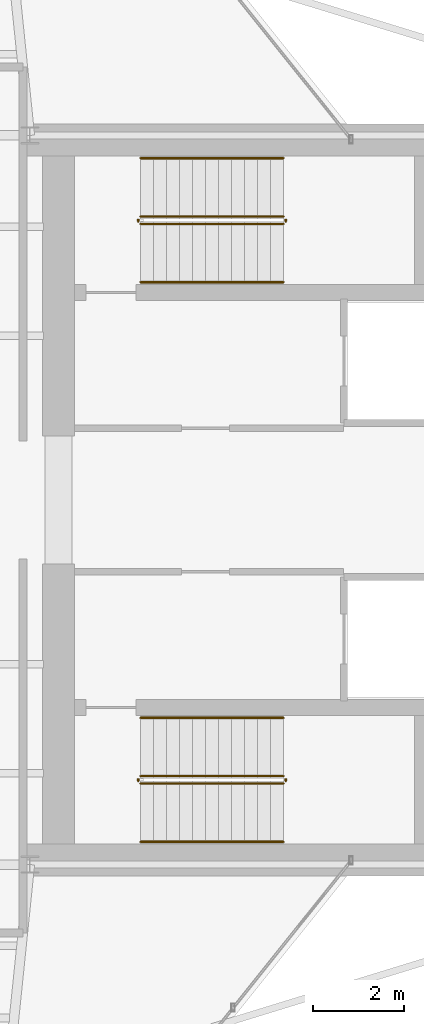
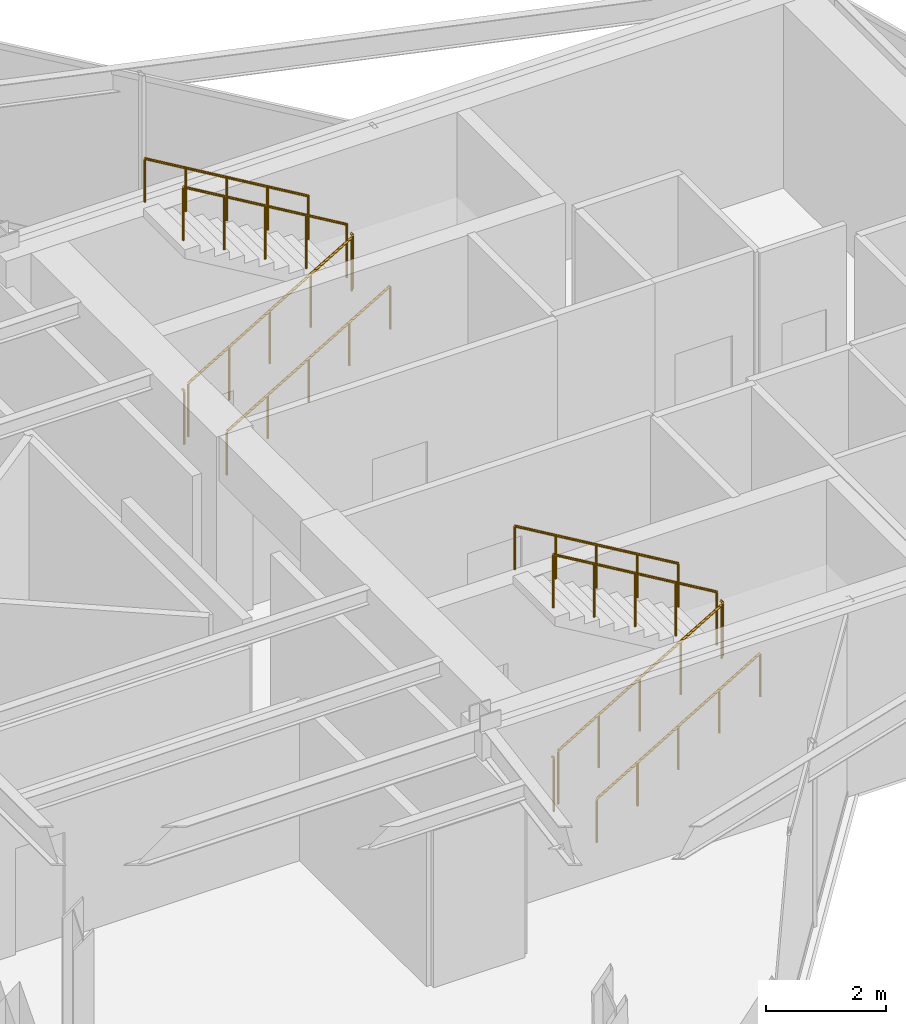
# One storey, part 23 of 23: 12 railings.
"""IFC4 building model written with IfcOpenShell, lengths in metres."""

from ifc_helpers import new_model, si_unit, direction, frame, origin, origin_2d, place, context, subcontext, project, spatial, circle, extrude, material, type_object, element, save


model = new_model("IFC4")

# Units and contexts
model_context = context("Model", 3, precision=1e-05, world=origin(), true_north=direction((0.0, 1.0)))
body_context = subcontext(model_context, "Body", "Model", "MODEL_VIEW")
ifc_project = project(units=[si_unit("LENGTHUNIT", "METRE"), si_unit("AREAUNIT", "SQUARE_METRE"), si_unit("VOLUMEUNIT", "CUBIC_METRE"), si_unit("PLANEANGLEUNIT", "RADIAN"), si_unit("MASSUNIT", "GRAM", prefix="KILO")], contexts=[model_context])

# Site, building, storey
site_placement = place(None, origin())
site = spatial("IfcSite", under=ifc_project, at=site_placement, CompositionType="ELEMENT")
building_placement = place(site_placement, origin())
building = spatial("IfcBuilding", under=site, at=building_placement, Name="Veymaron Broadcast Tower", CompositionType="ELEMENT")
storey_placement = place(building_placement, frame((0.0, 0.0, 252.60009765625)))
storey = spatial("IfcBuildingStorey", under=building, at=storey_placement, Name="L59", CompositionType="ELEMENT", Elevation=252.60009765625)

# Railings
ifc_material_1 = material(Name="Brushed stainless steel AISI 304", Category="steel")
railing_type_1 = type_object("IfcRailingType", Name="RAIL-STAIR-HR", PredefinedType="HANDRAIL", material=ifc_material_1)
railing_1_placement = place(storey_placement, frame((41.429931640625, 28.780029296875, 0.168701171875)))
element("IfcRailing", 1, at=railing_1_placement, inside=storey, type_object=railing_type_1, Name="L59 ST1 stair handrail 1", PredefinedType="HANDRAIL", context=body_context, shape_type="SweptSolid", body=[
    extrude(circle(Radius=0.02392578125, at=origin_2d()), frame((0.0, 0.0, 0.8759765625), z_axis=(0.860481960309, 0.0, 0.509480908359), x_axis=(0.0, 1.0, 0.0)), (0.0, 0.0, 1.0), 3.643310546875),
    extrude(circle(Radius=0.02099609375, at=origin_2d()), origin(), (0.0, 0.0, 1.0), 0.851806640625),
    extrude(circle(Radius=0.02099609375, at=origin_2d()), frame((0.78369140625, 0.0, 0.464111328125)), (0.0, 0.0, 1.0), 0.851806640625),
    extrude(circle(Radius=0.02099609375, at=origin_2d()), frame((1.5673828125, 0.0, 0.92822265625)), (0.0, 0.0, 1.0), 0.851806640625),
    extrude(circle(Radius=0.02099609375, at=origin_2d()), frame((2.351318359375, 0.0, 1.39208984375)), (0.0, 0.0, 1.0), 0.851806640625),
    extrude(circle(Radius=0.02099609375, at=origin_2d()), frame((3.135009765625, 0.0, 1.856201171875)), (0.0, 0.0, 1.0), 0.851806640625),
])
railing_2_placement = place(storey_placement, frame((44.56494140625, 31.5, 2.193603515625)))
element("IfcRailing", 2, at=railing_2_placement, inside=storey, type_object=railing_type_1, Name="L59 ST1 stair handrail 2", PredefinedType="HANDRAIL", context=body_context, shape_type="SweptSolid", body=[
    extrude(circle(Radius=0.02392578125, at=origin_2d()), frame((0.0, 0.0, 0.8759765625), z_axis=(-0.860481960309, 0.0, 0.509480908359), x_axis=(0.0, -1.0, 0.0)), (0.0, 0.0, 1.0), 3.643310546875),
    extrude(circle(Radius=0.02099609375, at=origin_2d()), origin(), (0.0, 0.0, 1.0), 0.851806640625),
    extrude(circle(Radius=0.02099609375, at=origin_2d()), frame((-0.78369140625, 0.0, 0.464111328125)), (0.0, 0.0, 1.0), 0.851806640625),
    extrude(circle(Radius=0.02099609375, at=origin_2d()), frame((-1.5673828125, 0.0, 0.92822265625)), (0.0, 0.0, 1.0), 0.851806640625),
    extrude(circle(Radius=0.02099609375, at=origin_2d()), frame((-2.351318359375, 0.0, 1.39208984375)), (0.0, 0.0, 1.0), 0.851806640625),
    extrude(circle(Radius=0.02099609375, at=origin_2d()), frame((-3.135009765625, 0.0, 1.856201171875)), (0.0, 0.0, 1.0), 0.851806640625),
])
railing_3_placement = place(storey_placement, frame((41.429931640625, 16.5, 0.168701171875)))
element("IfcRailing", 3, at=railing_3_placement, inside=storey, type_object=railing_type_1, Name="L59 ST2 stair handrail 1", PredefinedType="HANDRAIL", context=body_context, shape_type="SweptSolid", body=[
    extrude(circle(Radius=0.02392578125, at=origin_2d()), frame((0.0, 0.0, 0.8759765625), z_axis=(0.860481960309, 0.0, 0.509480908359), x_axis=(0.0, 1.0, 0.0)), (0.0, 0.0, 1.0), 3.643310546875),
    extrude(circle(Radius=0.02099609375, at=origin_2d()), origin(), (0.0, 0.0, 1.0), 0.851806640625),
    extrude(circle(Radius=0.02099609375, at=origin_2d()), frame((0.78369140625, 0.0, 0.464111328125)), (0.0, 0.0, 1.0), 0.851806640625),
    extrude(circle(Radius=0.02099609375, at=origin_2d()), frame((1.5673828125, 0.0, 0.92822265625)), (0.0, 0.0, 1.0), 0.851806640625),
    extrude(circle(Radius=0.02099609375, at=origin_2d()), frame((2.351318359375, 0.0, 1.39208984375)), (0.0, 0.0, 1.0), 0.851806640625),
    extrude(circle(Radius=0.02099609375, at=origin_2d()), frame((3.135009765625, 0.0, 1.856201171875)), (0.0, 0.0, 1.0), 0.851806640625),
])
railing_4_placement = place(storey_placement, frame((44.56494140625, 19.219970703125, 2.193603515625)))
element("IfcRailing", 4, at=railing_4_placement, inside=storey, type_object=railing_type_1, Name="L59 ST2 stair handrail 2", PredefinedType="HANDRAIL", context=body_context, shape_type="SweptSolid", body=[
    extrude(circle(Radius=0.02392578125, at=origin_2d()), frame((0.0, 0.0, 0.8759765625), z_axis=(-0.860481960309, 0.0, 0.509480908359), x_axis=(0.0, -1.0, 0.0)), (0.0, 0.0, 1.0), 3.643310546875),
    extrude(circle(Radius=0.02099609375, at=origin_2d()), origin(), (0.0, 0.0, 1.0), 0.851806640625),
    extrude(circle(Radius=0.02099609375, at=origin_2d()), frame((-0.78369140625, 0.0, 0.464111328125)), (0.0, 0.0, 1.0), 0.851806640625),
    extrude(circle(Radius=0.02099609375, at=origin_2d()), frame((-1.5673828125, 0.0, 0.92822265625)), (0.0, 0.0, 1.0), 0.851806640625),
    extrude(circle(Radius=0.02099609375, at=origin_2d()), frame((-2.351318359375, 0.0, 1.39208984375)), (0.0, 0.0, 1.0), 0.851806640625),
    extrude(circle(Radius=0.02099609375, at=origin_2d()), frame((-3.135009765625, 0.0, 1.856201171875)), (0.0, 0.0, 1.0), 0.851806640625),
])
ifc_material_2 = material(Name="Painted galvanized steel balustrade", Category="steel")
railing_type_2 = type_object("IfcRailingType", Name="RAIL-WELL-GRD", PredefinedType="GUARDRAIL", material=ifc_material_2)
railing_5_placement = place(storey_placement, frame((41.429931640625, 30.06005859375, 0.168701171875)))
element("IfcRailing", 5, at=railing_5_placement, inside=storey, type_object=railing_type_2, Name="L59 ST1 stair guard 1", PredefinedType="GUARDRAIL", context=body_context, shape_type="SweptSolid", body=[
    extrude(circle(Radius=0.02392578125, at=origin_2d()), frame((0.0, 0.0, 1.076171875), z_axis=(0.860481960309, 0.0, 0.509480908359), x_axis=(0.0, 1.0, 0.0)), (0.0, 0.0, 1.0), 3.643310546875),
    extrude(circle(Radius=0.02099609375, at=origin_2d()), origin(), (0.0, 0.0, 1.0), 1.052001953125),
    extrude(circle(Radius=0.02099609375, at=origin_2d()), frame((0.78369140625, 0.0, 0.464111328125)), (0.0, 0.0, 1.0), 1.052001953125),
    extrude(circle(Radius=0.02099609375, at=origin_2d()), frame((1.5673828125, 0.0, 0.92822265625)), (0.0, 0.0, 1.0), 1.052001953125),
    extrude(circle(Radius=0.02099609375, at=origin_2d()), frame((2.351318359375, 0.0, 1.39208984375)), (0.0, 0.0, 1.0), 1.052001953125),
    extrude(circle(Radius=0.02099609375, at=origin_2d()), frame((3.135009765625, 0.0, 1.856201171875)), (0.0, 0.0, 1.0), 1.052001953125),
])
railing_6_placement = place(storey_placement, frame((44.614990234375, 30.110107421875, 2.02490234375)))
element("IfcRailing", 6, at=railing_6_placement, inside=storey, type_object=railing_type_2, Name="L59 ST1 stair guard 2", PredefinedType="GUARDRAIL", context=body_context, shape_type="SweptSolid", body=[
    extrude(circle(Radius=0.02392578125, at=origin_2d()), frame((0.0, 0.0, 1.076171875), z_axis=(0.0, 1.0, 0.0), x_axis=(-1.0, 0.0, 0.0)), (0.0, 0.0, 1.0), 0.059814453125),
    extrude(circle(Radius=0.02099609375, at=origin_2d()), origin(), (0.0, 0.0, 1.0), 1.052001953125),
])
railing_7_placement = place(storey_placement, frame((44.56494140625, 30.219970703125, 2.193603515625)))
element("IfcRailing", 7, at=railing_7_placement, inside=storey, type_object=railing_type_2, Name="L59 ST1 stair guard 3", PredefinedType="GUARDRAIL", context=body_context, shape_type="SweptSolid", body=[
    extrude(circle(Radius=0.02392578125, at=origin_2d()), frame((0.0, 0.0, 1.076171875), z_axis=(-0.860481960309, 0.0, 0.509480908359), x_axis=(0.0, -1.0, 0.0)), (0.0, 0.0, 1.0), 3.643310546875),
    extrude(circle(Radius=0.02099609375, at=origin_2d()), origin(), (0.0, 0.0, 1.0), 1.052001953125),
    extrude(circle(Radius=0.02099609375, at=origin_2d()), frame((-0.78369140625, 0.0, 0.464111328125)), (0.0, 0.0, 1.0), 1.052001953125),
    extrude(circle(Radius=0.02099609375, at=origin_2d()), frame((-1.5673828125, 0.0, 0.92822265625)), (0.0, 0.0, 1.0), 1.052001953125),
    extrude(circle(Radius=0.02099609375, at=origin_2d()), frame((-2.351318359375, 0.0, 1.39208984375)), (0.0, 0.0, 1.0), 1.052001953125),
    extrude(circle(Radius=0.02099609375, at=origin_2d()), frame((-3.135009765625, 0.0, 1.856201171875)), (0.0, 0.0, 1.0), 1.052001953125),
])
railing_8_placement = place(storey_placement, frame((41.3798828125, 30.110107421875, 0.0)))
element("IfcRailing", 8, at=railing_8_placement, inside=storey, type_object=railing_type_2, Name="L59 ST1 stair guard 4", PredefinedType="GUARDRAIL", context=body_context, shape_type="SweptSolid", body=[
    extrude(circle(Radius=0.02392578125, at=origin_2d()), frame((0.0, 0.0, 1.076171875), z_axis=(0.0, 1.0, 0.0), x_axis=(-1.0, 0.0, 0.0)), (0.0, 0.0, 1.0), 0.059814453125),
    extrude(circle(Radius=0.02099609375, at=origin_2d()), origin(), (0.0, 0.0, 1.0), 1.052001953125),
])
railing_9_placement = place(storey_placement, frame((41.429931640625, 17.780029296875, 0.168701171875)))
element("IfcRailing", 9, at=railing_9_placement, inside=storey, type_object=railing_type_2, Name="L59 ST2 stair guard 1", PredefinedType="GUARDRAIL", context=body_context, shape_type="SweptSolid", body=[
    extrude(circle(Radius=0.02392578125, at=origin_2d()), frame((0.0, 0.0, 1.076171875), z_axis=(0.860481960309, 0.0, 0.509480908359), x_axis=(0.0, 1.0, 0.0)), (0.0, 0.0, 1.0), 3.643310546875),
    extrude(circle(Radius=0.02099609375, at=origin_2d()), origin(), (0.0, 0.0, 1.0), 1.052001953125),
    extrude(circle(Radius=0.02099609375, at=origin_2d()), frame((0.78369140625, 0.0, 0.464111328125)), (0.0, 0.0, 1.0), 1.052001953125),
    extrude(circle(Radius=0.02099609375, at=origin_2d()), frame((1.5673828125, 0.0, 0.92822265625)), (0.0, 0.0, 1.0), 1.052001953125),
    extrude(circle(Radius=0.02099609375, at=origin_2d()), frame((2.351318359375, 0.0, 1.39208984375)), (0.0, 0.0, 1.0), 1.052001953125),
    extrude(circle(Radius=0.02099609375, at=origin_2d()), frame((3.135009765625, 0.0, 1.856201171875)), (0.0, 0.0, 1.0), 1.052001953125),
])
railing_10_placement = place(storey_placement, frame((44.614990234375, 17.830078125, 2.02490234375)))
element("IfcRailing", 10, at=railing_10_placement, inside=storey, type_object=railing_type_2, Name="L59 ST2 stair guard 2", PredefinedType="GUARDRAIL", context=body_context, shape_type="SweptSolid", body=[
    extrude(circle(Radius=0.02392578125, at=origin_2d()), frame((0.0, 0.0, 1.076171875), z_axis=(0.0, 1.0, 0.0), x_axis=(-1.0, 0.0, 0.0)), (0.0, 0.0, 1.0), 0.059814453125),
    extrude(circle(Radius=0.02099609375, at=origin_2d()), origin(), (0.0, 0.0, 1.0), 1.052001953125),
])
railing_11_placement = place(storey_placement, frame((44.56494140625, 17.93994140625, 2.193603515625)))
element("IfcRailing", 11, at=railing_11_placement, inside=storey, type_object=railing_type_2, Name="L59 ST2 stair guard 3", PredefinedType="GUARDRAIL", context=body_context, shape_type="SweptSolid", body=[
    extrude(circle(Radius=0.02392578125, at=origin_2d()), frame((0.0, 0.0, 1.076171875), z_axis=(-0.860481960309, 0.0, 0.509480908359), x_axis=(0.0, -1.0, 0.0)), (0.0, 0.0, 1.0), 3.643310546875),
    extrude(circle(Radius=0.02099609375, at=origin_2d()), origin(), (0.0, 0.0, 1.0), 1.052001953125),
    extrude(circle(Radius=0.02099609375, at=origin_2d()), frame((-0.78369140625, 0.0, 0.464111328125)), (0.0, 0.0, 1.0), 1.052001953125),
    extrude(circle(Radius=0.02099609375, at=origin_2d()), frame((-1.5673828125, 0.0, 0.92822265625)), (0.0, 0.0, 1.0), 1.052001953125),
    extrude(circle(Radius=0.02099609375, at=origin_2d()), frame((-2.351318359375, 0.0, 1.39208984375)), (0.0, 0.0, 1.0), 1.052001953125),
    extrude(circle(Radius=0.02099609375, at=origin_2d()), frame((-3.135009765625, 0.0, 1.856201171875)), (0.0, 0.0, 1.0), 1.052001953125),
])
railing_12_placement = place(storey_placement, frame((41.3798828125, 17.830078125, 0.0)))
element("IfcRailing", 12, at=railing_12_placement, inside=storey, type_object=railing_type_2, Name="L59 ST2 stair guard 4", PredefinedType="GUARDRAIL", context=body_context, shape_type="SweptSolid", body=[
    extrude(circle(Radius=0.02392578125, at=origin_2d()), frame((0.0, 0.0, 1.076171875), z_axis=(0.0, 1.0, 0.0), x_axis=(-1.0, 0.0, 0.0)), (0.0, 0.0, 1.0), 0.059814453125),
    extrude(circle(Radius=0.02099609375, at=origin_2d()), origin(), (0.0, 0.0, 1.0), 1.052001953125),
])

save(model, "model.ifc")
